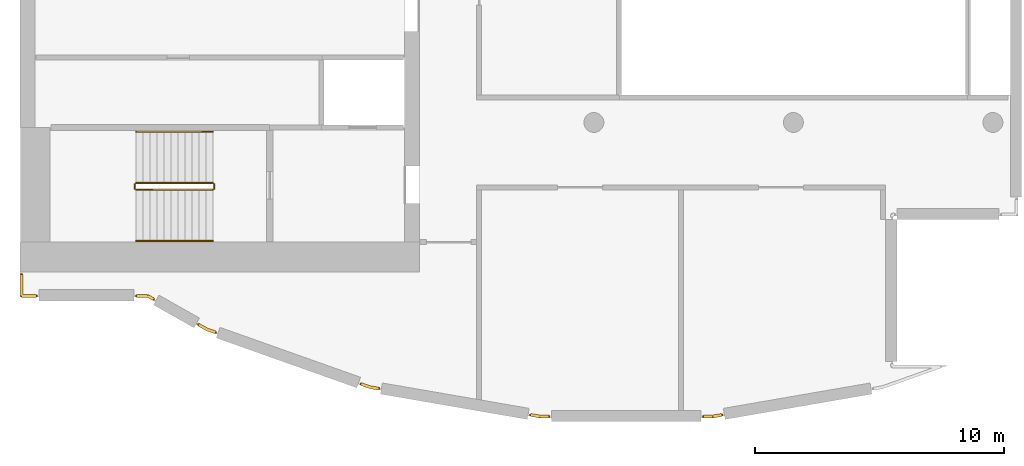
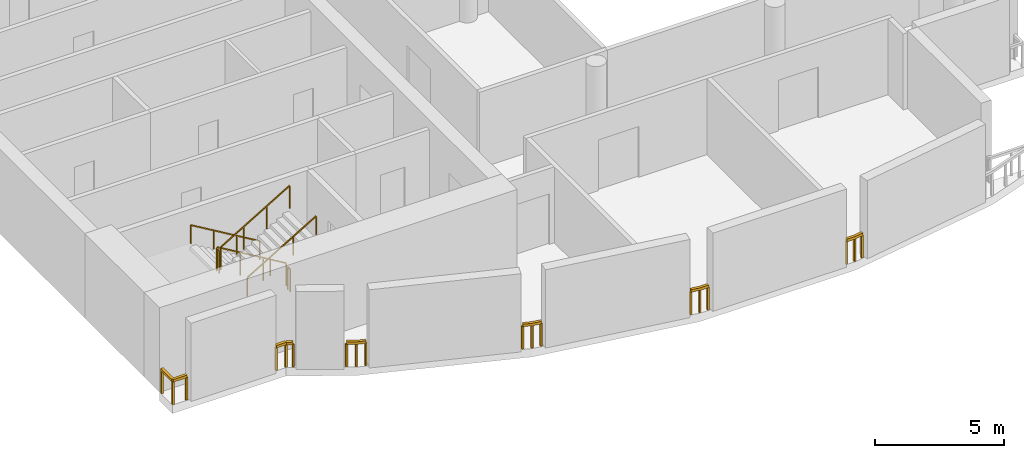
# One storey, part 5 of 8: 12 railings.
"""IFC4 building model written with IfcOpenShell, lengths in metres."""

from ifc_helpers import new_model, si_unit, direction, frame, origin, origin_2d, place, context, subcontext, project, spatial, rectangle, extrude, material, type_object, element, save


model = new_model("IFC4")

# Units and contexts
model_context = context("Model", 3, precision=1e-05, world=origin(), true_north=direction((0.0, 1.0)))
body_context = subcontext(model_context, "Body", "Model", "MODEL_VIEW")
ifc_project = project(units=[si_unit("LENGTHUNIT", "METRE"), si_unit("AREAUNIT", "SQUARE_METRE"), si_unit("VOLUMEUNIT", "CUBIC_METRE"), si_unit("PLANEANGLEUNIT", "RADIAN"), si_unit("MASSUNIT", "GRAM", prefix="KILO")], contexts=[model_context])

# Site, building, storey
site_placement = place(None, origin())
site = spatial("IfcSite", under=ifc_project, at=site_placement, CompositionType="ELEMENT")
building_placement = place(site_placement, origin())
building = spatial("IfcBuilding", under=site, at=building_placement, Name="Cypress Arch Tower", CompositionType="ELEMENT")
storey_placement = place(building_placement, frame((0.0, 0.0, 347.0)))
storey = spatial("IfcBuildingStorey", under=building, at=storey_placement, Name="L79", CompositionType="ELEMENT", Elevation=347.0)

# Railings
ifc_material_1 = material(Name="Stainless steel posts and handrail, laminated glass infill", Category="steel")
railing_type_1 = type_object("IfcRailingType", Name="Deck guard GR1200D", PredefinedType="GUARDRAIL", material=ifc_material_1)
railing_1_placement = place(storey_placement, frame((-29.35009765625, -16.949951171875, 0.0)))
element("IfcRailing", 1, at=railing_1_placement, inside=storey, type_object=railing_type_1, Name="Crown edge guard L79 1", PredefinedType="GUARDRAIL", context=body_context, shape_type="SweptSolid", body=[
    extrude(rectangle(XDim=0.1201171875, YDim=0.1201171875, at=origin_2d()), frame((0.0, 0.0, 1.139892578125), z_axis=(-1.0, 0.0, 0.0), x_axis=(0.0, -1.0, 0.0)), (0.0, 0.0, 1.0), 0.599853515625),
    extrude(rectangle(XDim=0.1201171875, YDim=0.1201171875, at=origin_2d()), frame((-0.599853515625, 0.0, 1.139892578125), z_axis=(0.0, 1.0, 0.0), x_axis=(-1.0, 0.0, 0.0)), (0.0, 0.0, 1.0), 0.849853515625),
    extrude(rectangle(XDim=0.080078125, YDim=0.080078125, at=origin_2d()), origin(), (0.0, 0.0, 1.0), 1.079833984375),
    extrude(rectangle(XDim=0.080078125, YDim=0.080078125, at=origin_2d()), frame((-0.599853515625, 0.0, 0.0)), (0.0, 0.0, 1.0), 1.079833984375),
    extrude(rectangle(XDim=0.080078125, YDim=0.080078125, at=origin_2d()), frame((-0.599853515625, 0.849853515625, 0.0)), (0.0, 0.0, 1.0), 1.079833984375),
])
railing_2_placement = place(storey_placement, frame((-24.6494140625, -17.08984375, 0.0)))
element("IfcRailing", 2, at=railing_2_placement, inside=storey, type_object=railing_type_1, Name="Crown edge guard L79 3", PredefinedType="GUARDRAIL", context=body_context, shape_type="SweptSolid", body=[
    extrude(rectangle(XDim=0.1201171875, YDim=0.1201171875, at=origin_2d()), frame((0.0, 0.0, 1.139892578125), z_axis=(-0.87040276366, 0.492340358911, 0.0), x_axis=(-0.492340358911, -0.87040276366, 0.0)), (0.0, 0.0, 1.0), 0.2841796875),
    extrude(rectangle(XDim=0.1201171875, YDim=0.1201171875, at=origin_2d()), frame((-0.247314453125, 0.139892578125, 1.139892578125), z_axis=(-1.0, 0.0, 0.0), x_axis=(0.0, -1.0, 0.0)), (0.0, 0.0, 1.0), 0.447509765625),
    extrude(rectangle(XDim=0.080078125, YDim=0.080078125, at=origin_2d()), origin(), (0.0, 0.0, 1.0), 1.079833984375),
    extrude(rectangle(XDim=0.080078125, YDim=0.080078125, at=origin_2d()), frame((-0.247314453125, 0.139892578125, 0.0)), (0.0, 0.0, 1.0), 1.079833984375),
    extrude(rectangle(XDim=0.080078125, YDim=0.080078125, at=origin_2d()), frame((-0.69482421875, 0.139892578125, 0.0)), (0.0, 0.0, 1.0), 1.079833984375),
])
railing_3_placement = place(storey_placement, frame((-22.168701171875, -18.418701171875, 0.0)))
element("IfcRailing", 3, at=railing_3_placement, inside=storey, type_object=railing_type_1, Name="Crown edge guard L79 4", PredefinedType="GUARDRAIL", context=body_context, shape_type="SweptSolid", body=[
    extrude(rectangle(XDim=0.1201171875, YDim=0.1201171875, at=origin_2d()), frame((0.0, 0.0, 1.139892578125), z_axis=(-0.942334309337, 0.334673048581, 0.0), x_axis=(-0.334673048581, -0.942334309337, 0.0)), (0.0, 0.0, 1.0), 0.3720703125),
    extrude(rectangle(XDim=0.1201171875, YDim=0.1201171875, at=origin_2d()), frame((-0.3505859375, 0.12451171875, 1.139892578125), z_axis=(-0.870574848938, 0.492036007215, 0.0), x_axis=(-0.492036007215, -0.870574848938, 0.0)), (0.0, 0.0, 1.0), 0.378662109375),
    extrude(rectangle(XDim=0.080078125, YDim=0.080078125, at=origin_2d()), origin(), (0.0, 0.0, 1.0), 1.079833984375),
    extrude(rectangle(XDim=0.080078125, YDim=0.080078125, at=origin_2d()), frame((-0.3505859375, 0.12451171875, 0.0)), (0.0, 0.0, 1.0), 1.079833984375),
    extrude(rectangle(XDim=0.080078125, YDim=0.080078125, at=origin_2d()), frame((-0.68017578125, 0.310791015625, 0.0)), (0.0, 0.0, 1.0), 1.079833984375),
])
railing_4_placement = place(storey_placement, frame((-15.621337890625, -20.6748046875, 0.0)))
element("IfcRailing", 4, at=railing_4_placement, inside=storey, type_object=railing_type_1, Name="Crown edge guard L79 7", PredefinedType="GUARDRAIL", context=body_context, shape_type="SweptSolid", body=[
    extrude(rectangle(XDim=0.1201171875, YDim=0.1201171875, at=origin_2d()), frame((0.0, 0.0, 1.139892578125), z_axis=(-0.985399325675, 0.170259122982, 0.0), x_axis=(-0.170259122982, -0.985399325675, 0.0)), (0.0, 0.0, 1.0), 0.371337890625),
    extrude(rectangle(XDim=0.1201171875, YDim=0.1201171875, at=origin_2d()), frame((-0.365966796875, 0.063232421875, 1.139892578125), z_axis=(-0.942368632672, 0.334576389119, 0.0), x_axis=(-0.334576389119, -0.942368632672, 0.0)), (0.0, 0.0, 1.0), 0.3779296875),
    extrude(rectangle(XDim=0.080078125, YDim=0.080078125, at=origin_2d()), origin(), (0.0, 0.0, 1.0), 1.079833984375),
    extrude(rectangle(XDim=0.080078125, YDim=0.080078125, at=origin_2d()), frame((-0.365966796875, 0.063232421875, 0.0)), (0.0, 0.0, 1.0), 1.079833984375),
    extrude(rectangle(XDim=0.080078125, YDim=0.080078125, at=origin_2d()), frame((-0.72216796875, 0.189697265625, 0.0)), (0.0, 0.0, 1.0), 1.079833984375),
])
railing_5_placement = place(storey_placement, frame((-8.794189453125, -21.7900390625, 0.0)))
element("IfcRailing", 5, at=railing_5_placement, inside=storey, type_object=railing_type_1, Name="Crown edge guard L79 9", PredefinedType="GUARDRAIL", context=body_context, shape_type="SweptSolid", body=[
    extrude(rectangle(XDim=0.1201171875, YDim=0.1201171875, at=origin_2d()), frame((0.0, 0.0, 1.139892578125), z_axis=(-1.0, 0.0, 0.0), x_axis=(0.0, -1.0, 0.0)), (0.0, 0.0, 1.0), 0.37158203125),
    extrude(rectangle(XDim=0.1201171875, YDim=0.1201171875, at=origin_2d()), frame((-0.37158203125, 0.0, 1.139892578125), z_axis=(-0.985363023372, 0.170469094476, 0.0), x_axis=(-0.170469094476, -0.985363023372, 0.0)), (0.0, 0.0, 1.0), 0.378173828125),
    extrude(rectangle(XDim=0.080078125, YDim=0.080078125, at=origin_2d()), origin(), (0.0, 0.0, 1.0), 1.079833984375),
    extrude(rectangle(XDim=0.080078125, YDim=0.080078125, at=origin_2d()), frame((-0.37158203125, 0.0, 0.0)), (0.0, 0.0, 1.0), 1.079833984375),
    extrude(rectangle(XDim=0.080078125, YDim=0.080078125, at=origin_2d()), frame((-0.744140625, 0.064453125, 0.0)), (0.0, 0.0, 1.0), 1.079833984375),
])
railing_6_placement = place(storey_placement, frame((-1.868408203125, -21.726806640625, 0.0)))
element("IfcRailing", 6, at=railing_6_placement, inside=storey, type_object=railing_type_1, Name="Crown edge guard L79 12", PredefinedType="GUARDRAIL", context=body_context, shape_type="SweptSolid", body=[
    extrude(rectangle(XDim=0.1201171875, YDim=0.1201171875, at=origin_2d()), frame((0.0, 0.0, 1.139892578125), z_axis=(-0.985399325675, -0.170259122982, 0.0), x_axis=(0.170259122982, -0.985399325675, 0.0)), (0.0, 0.0, 1.0), 0.371337890625),
    extrude(rectangle(XDim=0.1201171875, YDim=0.1201171875, at=origin_2d()), frame((-0.365966796875, -0.063232421875, 1.139892578125), z_axis=(-1.0, 0.0, 0.0), x_axis=(0.0, -1.0, 0.0)), (0.0, 0.0, 1.0), 0.3779296875),
    extrude(rectangle(XDim=0.080078125, YDim=0.080078125, at=origin_2d()), origin(), (0.0, 0.0, 1.0), 1.079833984375),
    extrude(rectangle(XDim=0.080078125, YDim=0.080078125, at=origin_2d()), frame((-0.365966796875, -0.063232421875, 0.0)), (0.0, 0.0, 1.0), 1.079833984375),
    extrude(rectangle(XDim=0.080078125, YDim=0.080078125, at=origin_2d()), frame((-0.743896484375, -0.063232421875, 0.0)), (0.0, 0.0, 1.0), 1.079833984375),
])
ifc_material_2 = material(Name="Black powder-coated steel square bar 48 mm", Category="steel")
railing_type_2 = type_object("IfcRailingType", Name="Stair handrail HR1", PredefinedType="HANDRAIL", material=ifc_material_2)
railing_7_placement = place(storey_placement, frame((-22.27490234375, -10.375, 0.166748046875)))
element("IfcRailing", 7, at=railing_7_placement, inside=storey, type_object=railing_type_2, Name="L79 A stair handrail 1", PredefinedType="HANDRAIL", context=body_context, shape_type="SweptSolid", body=[
    extrude(rectangle(XDim=0.048095703125, YDim=0.048095703125, at=origin_2d()), frame((0.0, 0.0, 0.8759765625), z_axis=(-0.859308565015, 0.0, 0.511457515432), x_axis=(0.0, -1.0, 0.0)), (0.0, 0.0, 1.0), 3.58447265625),
    extrude(rectangle(XDim=0.0419921875, YDim=0.0419921875, at=origin_2d()), origin(), (0.0, 0.0, 1.0), 0.851806640625),
    extrude(rectangle(XDim=0.0419921875, YDim=0.0419921875, at=origin_2d()), frame((-1.026611328125, 0.0, 0.611083984375)), (0.0, 0.0, 1.0), 0.851806640625),
    extrude(rectangle(XDim=0.0419921875, YDim=0.0419921875, at=origin_2d()), frame((-2.053466796875, 0.0, 1.22216796875)), (0.0, 0.0, 1.0), 0.851806640625),
    extrude(rectangle(XDim=0.0419921875, YDim=0.0419921875, at=origin_2d()), frame((-3.080078125, 0.0, 1.833251953125)), (0.0, 0.0, 1.0), 0.851806640625),
])
railing_8_placement = place(storey_placement, frame((-25.35498046875, -14.75, 2.166748046875)))
element("IfcRailing", 8, at=railing_8_placement, inside=storey, type_object=railing_type_2, Name="L79 A stair handrail 2", PredefinedType="HANDRAIL", context=body_context, shape_type="SweptSolid", body=[
    extrude(rectangle(XDim=0.048095703125, YDim=0.048095703125, at=origin_2d()), frame((0.0, 0.0, 0.8759765625), z_axis=(0.859308565015, 0.0, 0.511457515432), x_axis=(0.0, 1.0, 0.0)), (0.0, 0.0, 1.0), 3.58447265625),
    extrude(rectangle(XDim=0.0419921875, YDim=0.0419921875, at=origin_2d()), origin(), (0.0, 0.0, 1.0), 0.851806640625),
    extrude(rectangle(XDim=0.0419921875, YDim=0.0419921875, at=origin_2d()), frame((1.026611328125, 0.0, 0.611083984375)), (0.0, 0.0, 1.0), 0.851806640625),
    extrude(rectangle(XDim=0.0419921875, YDim=0.0419921875, at=origin_2d()), frame((2.053466796875, 0.0, 1.22216796875)), (0.0, 0.0, 1.0), 0.851806640625),
    extrude(rectangle(XDim=0.0419921875, YDim=0.0419921875, at=origin_2d()), frame((3.080078125, 0.0, 1.833251953125)), (0.0, 0.0, 1.0), 0.851806640625),
])
ifc_material_3 = material(Name="Black powder-coated steel balusters", Category="steel")
railing_type_3 = type_object("IfcRailingType", Name="Stair well guard G1", PredefinedType="GUARDRAIL", material=ifc_material_3)
railing_9_placement = place(storey_placement, frame((-22.27490234375, -12.425048828125, 0.166748046875)))
element("IfcRailing", 9, at=railing_9_placement, inside=storey, type_object=railing_type_3, Name="L79 A stair guard 1", PredefinedType="GUARDRAIL", context=body_context, shape_type="SweptSolid", body=[
    extrude(rectangle(XDim=0.048095703125, YDim=0.048095703125, at=origin_2d()), frame((0.0, 0.0, 1.076171875), z_axis=(-0.859308565015, 0.0, 0.511457515432), x_axis=(0.0, -1.0, 0.0)), (0.0, 0.0, 1.0), 3.58447265625),
    extrude(rectangle(XDim=0.0419921875, YDim=0.0419921875, at=origin_2d()), origin(), (0.0, 0.0, 1.0), 1.052001953125),
    extrude(rectangle(XDim=0.0419921875, YDim=0.0419921875, at=origin_2d()), frame((-1.026611328125, 0.0, 0.611083984375)), (0.0, 0.0, 1.0), 1.052001953125),
    extrude(rectangle(XDim=0.0419921875, YDim=0.0419921875, at=origin_2d()), frame((-2.053466796875, 0.0, 1.22216796875)), (0.0, 0.0, 1.0), 1.052001953125),
    extrude(rectangle(XDim=0.0419921875, YDim=0.0419921875, at=origin_2d()), frame((-3.080078125, 0.0, 1.833251953125)), (0.0, 0.0, 1.0), 1.052001953125),
])
railing_10_placement = place(storey_placement, frame((-25.405029296875, -12.47509765625, 2.0)))
element("IfcRailing", 10, at=railing_10_placement, inside=storey, type_object=railing_type_3, Name="L79 A stair guard 2", PredefinedType="GUARDRAIL", context=body_context, shape_type="SweptSolid", body=[
    extrude(rectangle(XDim=0.048095703125, YDim=0.048095703125, at=origin_2d()), frame((0.0, 0.0, 1.076171875), z_axis=(0.0, -1.0, 0.0), x_axis=(1.0, 0.0, 0.0)), (0.0, 0.0, 1.0), 0.1748046875),
    extrude(rectangle(XDim=0.0419921875, YDim=0.0419921875, at=origin_2d()), origin(), (0.0, 0.0, 1.0), 1.052001953125),
    extrude(rectangle(XDim=0.0419921875, YDim=0.0419921875, at=origin_2d()), frame((0.0, -0.1748046875, 0.0)), (0.0, 0.0, 1.0), 1.052001953125),
])
railing_11_placement = place(storey_placement, frame((-25.35498046875, -12.699951171875, 2.166748046875)))
element("IfcRailing", 11, at=railing_11_placement, inside=storey, type_object=railing_type_3, Name="L79 A stair guard 3", PredefinedType="GUARDRAIL", context=body_context, shape_type="SweptSolid", body=[
    extrude(rectangle(XDim=0.048095703125, YDim=0.048095703125, at=origin_2d()), frame((0.0, 0.0, 1.076171875), z_axis=(0.859308565015, 0.0, 0.511457515432), x_axis=(0.0, 1.0, 0.0)), (0.0, 0.0, 1.0), 3.58447265625),
    extrude(rectangle(XDim=0.0419921875, YDim=0.0419921875, at=origin_2d()), origin(), (0.0, 0.0, 1.0), 1.052001953125),
    extrude(rectangle(XDim=0.0419921875, YDim=0.0419921875, at=origin_2d()), frame((1.026611328125, 0.0, 0.611083984375)), (0.0, 0.0, 1.0), 1.052001953125),
    extrude(rectangle(XDim=0.0419921875, YDim=0.0419921875, at=origin_2d()), frame((2.053466796875, 0.0, 1.22216796875)), (0.0, 0.0, 1.0), 1.052001953125),
    extrude(rectangle(XDim=0.0419921875, YDim=0.0419921875, at=origin_2d()), frame((3.080078125, 0.0, 1.833251953125)), (0.0, 0.0, 1.0), 1.052001953125),
])
railing_12_placement = place(storey_placement, frame((-22.22509765625, -12.47509765625, 0.0)))
element("IfcRailing", 12, at=railing_12_placement, inside=storey, type_object=railing_type_3, Name="L79 A stair guard 4", PredefinedType="GUARDRAIL", context=body_context, shape_type="SweptSolid", body=[
    extrude(rectangle(XDim=0.048095703125, YDim=0.048095703125, at=origin_2d()), frame((0.0, 0.0, 1.076171875), z_axis=(0.0, -1.0, 0.0), x_axis=(1.0, 0.0, 0.0)), (0.0, 0.0, 1.0), 0.1748046875),
    extrude(rectangle(XDim=0.0419921875, YDim=0.0419921875, at=origin_2d()), origin(), (0.0, 0.0, 1.0), 1.052001953125),
    extrude(rectangle(XDim=0.0419921875, YDim=0.0419921875, at=origin_2d()), frame((0.0, -0.1748046875, 0.0)), (0.0, 0.0, 1.0), 1.052001953125),
])

save(model, "model.ifc")
